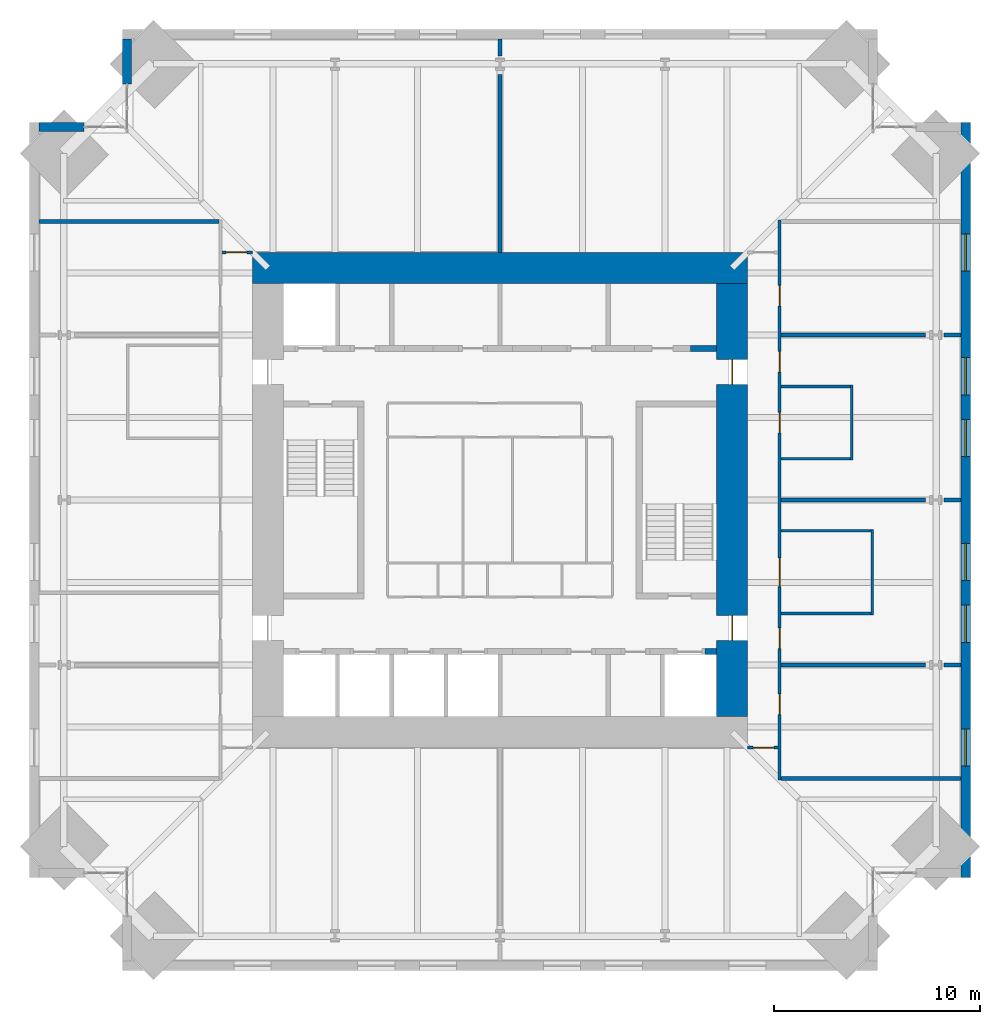
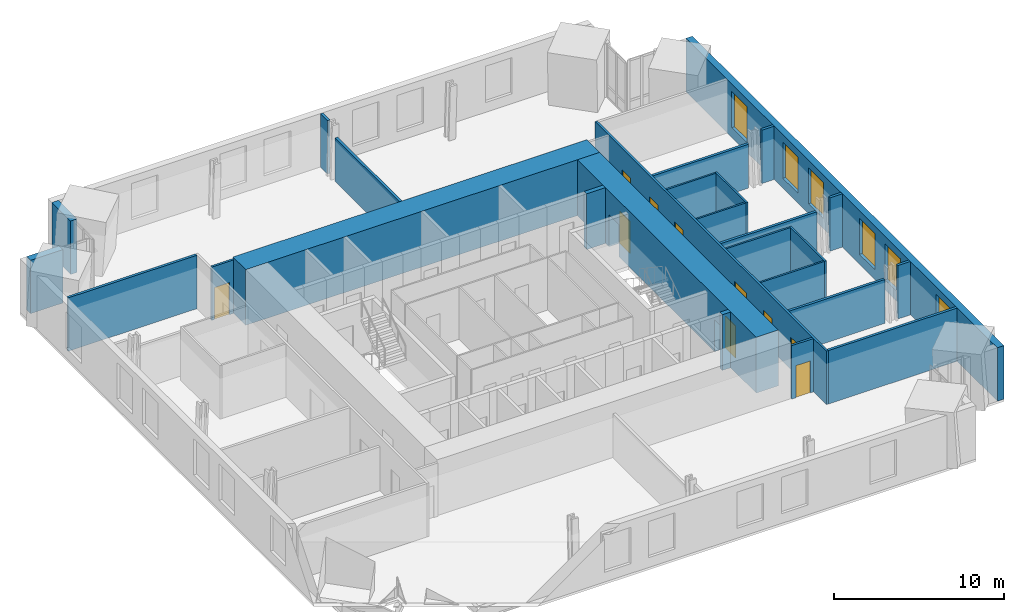
# One storey, part 13 of 15: 26 walls, 10 doors, 6 windows, 16 openings.
"""IFC4 building model written with IfcOpenShell, lengths in metres."""

from ifc_helpers import new_model, si_unit, direction, frame, frame_2d, origin, place, context, subcontext, project, spatial, rectangle, extrude, material, layer, layer_set, type_object, element, fill, save


model = new_model("IFC4")

# Units and contexts
model_context = context("Model", 3, precision=1e-05, world=origin(), true_north=direction((0.0, 1.0)))
body_context = subcontext(model_context, "Body", "Model", "MODEL_VIEW")
ifc_project = project(units=[si_unit("LENGTHUNIT", "METRE"), si_unit("AREAUNIT", "SQUARE_METRE"), si_unit("VOLUMEUNIT", "CUBIC_METRE"), si_unit("PLANEANGLEUNIT", "RADIAN"), si_unit("MASSUNIT", "GRAM", prefix="KILO")], contexts=[model_context])

# Site, building, storey
site_placement = place(None, origin())
site = spatial("IfcSite", under=ifc_project, at=site_placement, CompositionType="ELEMENT")
building_placement = place(site_placement, origin())
building = spatial("IfcBuilding", under=site, at=building_placement, Name="Peilmerk Tower", CompositionType="ELEMENT")
storey_placement = place(building_placement, frame((0.0, 0.0, 241.800048828125)))
storey = spatial("IfcBuildingStorey", under=building, at=storey_placement, Name="L53", CompositionType="ELEMENT", Elevation=241.800048828125)

# Wall, openings, windows
ifc_material_1 = material(Name="Precast concrete C45/55, board-marked finish", Category="concrete")
ifc_layer_1 = layer(ifc_material_1, 0.449951171875)
ifc_layer_set_1 = layer_set([ifc_layer_1], Name="Precast concrete C45/55, board-marked finish")
wall_type_1 = type_object("IfcWallType", Name="EW1 450 precast concrete facade wall, board-marked", PredefinedType="SOLIDWALL", material=ifc_layer_set_1)
wall_1_placement = place(storey_placement, frame((22.574951171875, -18.300048828125, 0.0), z_axis=(0.0, 0.0, 1.0), x_axis=(0.0, 1.0, 0.0)))
wall_1 = element("IfcWall", 1, at=wall_1_placement, inside=storey, type_object=wall_type_1, Name="Facade wall E L53", PredefinedType="SOLIDWALL", context=body_context, shape_type="SweptSolid", body=[
    extrude(rectangle(XDim=36.60009765625, YDim=0.449951171875, at=frame_2d((18.300048828125, 0.0))), origin(), (0.0, 0.0, 1.0), 3.829833984375),
])
opening_1_placement = place(wall_1_placement, frame((5.39990234375, 0.0, 0.699951171875)))
opening_1 = element("IfcOpeningElement", 2, at=opening_1_placement, cuts=wall_1, Name="Opening W1", PredefinedType="OPENING", context=body_context, shape_type="SweptSolid", body=[
    extrude(rectangle(XDim=1.800048828125, YDim=2.60009765625, at=frame_2d((0.89990234375, 1.300048828125))), frame((0.0, 0.23486328125, 0.0), z_axis=(0.0, -1.0, 0.0), x_axis=(1.0, 0.0, 0.0)), (0.0, 0.0, 1.0), 0.469970703125),
])
opening_2_placement = place(wall_1_placement, frame((11.39990234375, 0.0, 0.699951171875)))
opening_2 = element("IfcOpeningElement", 3, at=opening_2_placement, cuts=wall_1, Name="Opening W1", PredefinedType="OPENING", context=body_context, shape_type="SweptSolid", body=[
    extrude(rectangle(XDim=1.800048828125, YDim=2.60009765625, at=frame_2d((0.89990234375, 1.300048828125))), frame((0.0, 0.23486328125, 0.0), z_axis=(0.0, -1.0, 0.0), x_axis=(1.0, 0.0, 0.0)), (0.0, 0.0, 1.0), 0.469970703125),
])
opening_3_placement = place(wall_1_placement, frame((14.39990234375, 0.0, 0.699951171875)))
opening_3 = element("IfcOpeningElement", 4, at=opening_3_placement, cuts=wall_1, Name="Opening W1", PredefinedType="OPENING", context=body_context, shape_type="SweptSolid", body=[
    extrude(rectangle(XDim=1.800048828125, YDim=2.60009765625, at=frame_2d((0.89990234375, 1.300048828125))), frame((0.0, 0.23486328125, 0.0), z_axis=(0.0, -1.0, 0.0), x_axis=(1.0, 0.0, 0.0)), (0.0, 0.0, 1.0), 0.469970703125),
])
opening_4_placement = place(wall_1_placement, frame((20.39990234375, 0.0, 0.699951171875)))
opening_4 = element("IfcOpeningElement", 5, at=opening_4_placement, cuts=wall_1, Name="Opening W1", PredefinedType="OPENING", context=body_context, shape_type="SweptSolid", body=[
    extrude(rectangle(XDim=1.800048828125, YDim=2.60009765625, at=frame_2d((0.89990234375, 1.300048828125))), frame((0.0, 0.23486328125, 0.0), z_axis=(0.0, -1.0, 0.0), x_axis=(1.0, 0.0, 0.0)), (0.0, 0.0, 1.0), 0.469970703125),
])
opening_5_placement = place(wall_1_placement, frame((23.39990234375, 0.0, 0.699951171875)))
opening_5 = element("IfcOpeningElement", 6, at=opening_5_placement, cuts=wall_1, Name="Opening W1", PredefinedType="OPENING", context=body_context, shape_type="SweptSolid", body=[
    extrude(rectangle(XDim=1.800048828125, YDim=2.60009765625, at=frame_2d((0.89990234375, 1.300048828125))), frame((0.0, 0.23486328125, 0.0), z_axis=(0.0, -1.0, 0.0), x_axis=(1.0, 0.0, 0.0)), (0.0, 0.0, 1.0), 0.469970703125),
])
opening_6_placement = place(wall_1_placement, frame((29.39990234375, 0.0, 0.699951171875)))
opening_6 = element("IfcOpeningElement", 7, at=opening_6_placement, cuts=wall_1, Name="Opening W1", PredefinedType="OPENING", context=body_context, shape_type="SweptSolid", body=[
    extrude(rectangle(XDim=1.800048828125, YDim=2.60009765625, at=frame_2d((0.89990234375, 1.300048828125))), frame((0.0, 0.23486328125, 0.0), z_axis=(0.0, -1.0, 0.0), x_axis=(1.0, 0.0, 0.0)), (0.0, 0.0, 1.0), 0.469970703125),
])
ifc_material_2 = material(Name="Aluminium frame, clear double glazing", Category="aluminium")
window_type = type_object("IfcWindowType", Name="W1 1800x2600 office window", PartitioningType="SINGLE_PANEL", PredefinedType="WINDOW", material=ifc_material_2)
window_1_placement = place(opening_1_placement, origin())
window_1 = element("IfcWindow", 8, at=window_1_placement, inside=storey, type_object=window_type, Name="Window W1 L53", OverallHeight=2.60009765625, OverallWidth=1.800048828125, PartitioningType="SINGLE_PANEL", PredefinedType="WINDOW", context=body_context, shape_type="SweptSolid", body=[
    extrude(rectangle(XDim=1.800048828125, YDim=2.60009765625, at=frame_2d((0.89990234375, 1.300048828125))), frame((0.0, 0.030029296875, 0.0), z_axis=(0.0, -1.0, 0.0), x_axis=(1.0, 0.0, 0.0)), (0.0, 0.0, 1.0), 0.06005859375),
])
fill(opening_1, window_1)
window_2_placement = place(opening_2_placement, origin())
window_2 = element("IfcWindow", 9, at=window_2_placement, inside=storey, type_object=window_type, Name="Window W1 L53", OverallHeight=2.60009765625, OverallWidth=1.800048828125, PartitioningType="SINGLE_PANEL", PredefinedType="WINDOW", context=body_context, shape_type="SweptSolid", body=[
    extrude(rectangle(XDim=1.800048828125, YDim=2.60009765625, at=frame_2d((0.89990234375, 1.300048828125))), frame((0.0, 0.030029296875, 0.0), z_axis=(0.0, -1.0, 0.0), x_axis=(1.0, 0.0, 0.0)), (0.0, 0.0, 1.0), 0.06005859375),
])
fill(opening_2, window_2)
window_3_placement = place(opening_3_placement, origin())
window_3 = element("IfcWindow", 10, at=window_3_placement, inside=storey, type_object=window_type, Name="Window W1 L53", OverallHeight=2.60009765625, OverallWidth=1.800048828125, PartitioningType="SINGLE_PANEL", PredefinedType="WINDOW", context=body_context, shape_type="SweptSolid", body=[
    extrude(rectangle(XDim=1.800048828125, YDim=2.60009765625, at=frame_2d((0.89990234375, 1.300048828125))), frame((0.0, 0.030029296875, 0.0), z_axis=(0.0, -1.0, 0.0), x_axis=(1.0, 0.0, 0.0)), (0.0, 0.0, 1.0), 0.06005859375),
])
fill(opening_3, window_3)
window_4_placement = place(opening_4_placement, origin())
window_4 = element("IfcWindow", 11, at=window_4_placement, inside=storey, type_object=window_type, Name="Window W1 L53", OverallHeight=2.60009765625, OverallWidth=1.800048828125, PartitioningType="SINGLE_PANEL", PredefinedType="WINDOW", context=body_context, shape_type="SweptSolid", body=[
    extrude(rectangle(XDim=1.800048828125, YDim=2.60009765625, at=frame_2d((0.89990234375, 1.300048828125))), frame((0.0, 0.030029296875, 0.0), z_axis=(0.0, -1.0, 0.0), x_axis=(1.0, 0.0, 0.0)), (0.0, 0.0, 1.0), 0.06005859375),
])
fill(opening_4, window_4)
window_5_placement = place(opening_5_placement, origin())
window_5 = element("IfcWindow", 12, at=window_5_placement, inside=storey, type_object=window_type, Name="Window W1 L53", OverallHeight=2.60009765625, OverallWidth=1.800048828125, PartitioningType="SINGLE_PANEL", PredefinedType="WINDOW", context=body_context, shape_type="SweptSolid", body=[
    extrude(rectangle(XDim=1.800048828125, YDim=2.60009765625, at=frame_2d((0.89990234375, 1.300048828125))), frame((0.0, 0.030029296875, 0.0), z_axis=(0.0, -1.0, 0.0), x_axis=(1.0, 0.0, 0.0)), (0.0, 0.0, 1.0), 0.06005859375),
])
fill(opening_5, window_5)
window_6_placement = place(opening_6_placement, origin())
window_6 = element("IfcWindow", 13, at=window_6_placement, inside=storey, type_object=window_type, Name="Window W1 L53", OverallHeight=2.60009765625, OverallWidth=1.800048828125, PartitioningType="SINGLE_PANEL", PredefinedType="WINDOW", context=body_context, shape_type="SweptSolid", body=[
    extrude(rectangle(XDim=1.800048828125, YDim=2.60009765625, at=frame_2d((0.89990234375, 1.300048828125))), frame((0.0, 0.030029296875, 0.0), z_axis=(0.0, -1.0, 0.0), x_axis=(1.0, 0.0, 0.0)), (0.0, 0.0, 1.0), 0.06005859375),
])
fill(opening_6, window_6)

# Walls
for number, where, z_axis, x_axis, name in (
    (14, (-18.074951171875, 20.153564453125, 0.0), (0.0, 0.0, 1.0), (0.0, 1.0, 0.0), "Facade wall NWA L53"),
    (15, (-20.153564453125, 18.074951171875, 0.0), (0.0, 0.0, 1.0), (-1.0, 0.0, 0.0), "Facade wall NWB L53"),
):
    element("IfcWall", number, at=place(storey_placement, frame(where, z_axis=z_axis, x_axis=x_axis)), inside=storey, type_object=wall_type_1, Name=name, PredefinedType="SOLIDWALL", context=body_context, shape_type="SweptSolid", body=[
        extrude(rectangle(XDim=2.196533203125, YDim=0.449951171875, at=frame_2d((1.09814453125, 0.0))), origin(), (0.0, 0.0, 1.0), 3.829833984375),
    ])

# Wall, openings, doors
ifc_material_3 = material(Name="Calcium silicate block", Category="masonry")
ifc_layer_2 = layer(ifc_material_3, 0.14990234375)
ifc_layer_set_2 = layer_set([ifc_layer_2], Name="Calcium silicate block")
wall_type_2 = type_object("IfcWallType", Name="IW1 150 corridor partition, EI 60", PredefinedType="PARTITIONING", material=ifc_layer_set_2)
wall_2_placement = place(storey_placement, frame((13.550048828125, -13.574951171875, 0.0), z_axis=(0.0, 0.0, 1.0), x_axis=(0.0, 1.0, 0.0)))
wall_2 = element("IfcWall", 16, at=wall_2_placement, inside=storey, type_object=wall_type_2, Name="Corridor wall E L53", PredefinedType="PARTITIONING", context=body_context, shape_type="SweptSolid", body=[
    extrude(rectangle(XDim=27.14990234375, YDim=0.14990234375, at=frame_2d((13.574951171875, 0.0))), origin(), (0.0, 0.0, 1.0), 3.829833984375),
])
opening_7_placement = place(wall_2_placement, frame((3.175048828125, 0.0, 0.0)))
opening_7 = element("IfcOpeningElement", 17, at=opening_7_placement, cuts=wall_2, Name="Opening D1", PredefinedType="OPENING", context=body_context, shape_type="SweptSolid", body=[
    extrude(rectangle(XDim=1.0, YDim=2.300048828125, at=frame_2d((0.5, 1.14990234375))), frame((0.0, 0.0849609375, 0.0), z_axis=(0.0, -1.0, 0.0), x_axis=(1.0, 0.0, 0.0)), (0.0, 0.0, 1.0), 0.169921875),
])
opening_8_placement = place(wall_2_placement, frame((6.375, 0.0, 0.0)))
opening_8 = element("IfcOpeningElement", 18, at=opening_8_placement, cuts=wall_2, Name="Opening D1", PredefinedType="OPENING", context=body_context, shape_type="SweptSolid", body=[
    extrude(rectangle(XDim=1.0, YDim=2.300048828125, at=frame_2d((0.5, 1.14990234375))), frame((0.0, 0.0849609375, 0.0), z_axis=(0.0, -1.0, 0.0), x_axis=(1.0, 0.0, 0.0)), (0.0, 0.0, 1.0), 0.169921875),
])
opening_9_placement = place(wall_2_placement, frame((19.77490234375, 0.0, 0.0)))
opening_9 = element("IfcOpeningElement", 19, at=opening_9_placement, cuts=wall_2, Name="Opening D1", PredefinedType="OPENING", context=body_context, shape_type="SweptSolid", body=[
    extrude(rectangle(XDim=1.0, YDim=2.300048828125, at=frame_2d((0.5, 1.14990234375))), frame((0.0, 0.0849609375, 0.0), z_axis=(0.0, -1.0, 0.0), x_axis=(1.0, 0.0, 0.0)), (0.0, 0.0, 1.0), 0.169921875),
])
opening_10_placement = place(wall_2_placement, frame((22.97509765625, 0.0, 0.0)))
opening_10 = element("IfcOpeningElement", 20, at=opening_10_placement, cuts=wall_2, Name="Opening D1", PredefinedType="OPENING", context=body_context, shape_type="SweptSolid", body=[
    extrude(rectangle(XDim=1.0, YDim=2.300048828125, at=frame_2d((0.5, 1.14990234375))), frame((0.0, 0.0849609375, 0.0), z_axis=(0.0, -1.0, 0.0), x_axis=(1.0, 0.0, 0.0)), (0.0, 0.0, 1.0), 0.169921875),
])
opening_11_placement = place(wall_2_placement, frame((16.824951171875, 0.0, 0.0)))
opening_11 = element("IfcOpeningElement", 21, at=opening_11_placement, cuts=wall_2, Name="Opening D1", PredefinedType="OPENING", context=body_context, shape_type="SweptSolid", body=[
    extrude(rectangle(XDim=1.0, YDim=2.300048828125, at=frame_2d((0.5, 1.14990234375))), frame((0.0, 0.0849609375, 0.0), z_axis=(0.0, -1.0, 0.0), x_axis=(1.0, 0.0, 0.0)), (0.0, 0.0, 1.0), 0.169921875),
])
opening_12_placement = place(wall_2_placement, frame((9.375, 0.0, 0.0)))
opening_12 = element("IfcOpeningElement", 22, at=opening_12_placement, cuts=wall_2, Name="Opening D8", PredefinedType="OPENING", context=body_context, shape_type="SweptSolid", body=[
    extrude(rectangle(XDim=1.39990234375, YDim=2.300048828125, at=frame_2d((0.699951171875, 1.14990234375))), frame((0.0, 0.0849609375, 0.0), z_axis=(0.0, -1.0, 0.0), x_axis=(1.0, 0.0, 0.0)), (0.0, 0.0, 1.0), 0.169921875),
])
ifc_material_4 = material(Name="Timber door in steel frame", Category="steel")
door_type_1 = type_object("IfcDoorType", Name="D1 1000x2300 room door, EI2 30", OperationType="SINGLE_SWING_LEFT", PredefinedType="DOOR", material=ifc_material_4)
door_1_placement = place(opening_7_placement, frame((1.0, 0.0, 0.0), z_axis=(0.0, 0.0, 1.0), x_axis=(-1.0, 0.0, 0.0)))
door_1 = element("IfcDoor", 23, at=door_1_placement, inside=storey, type_object=door_type_1, Name="Door Office L53", OperationType="SINGLE_SWING_LEFT", OverallHeight=2.300048828125, OverallWidth=1.0, PredefinedType="DOOR", context=body_context, shape_type="SweptSolid", body=[
    extrude(rectangle(XDim=1.0, YDim=2.300048828125, at=frame_2d((0.5, 1.14990234375))), frame((0.0, 0.02490234375, 0.0), z_axis=(0.0, -1.0, 0.0), x_axis=(1.0, 0.0, 0.0)), (0.0, 0.0, 1.0), 0.050048828125),
])
fill(opening_7, door_1)
door_2_placement = place(opening_8_placement, frame((1.0, 0.0, 0.0), z_axis=(0.0, 0.0, 1.0), x_axis=(-1.0, 0.0, 0.0)))
door_2 = element("IfcDoor", 24, at=door_2_placement, inside=storey, type_object=door_type_1, Name="Door Office L53", OperationType="SINGLE_SWING_LEFT", OverallHeight=2.300048828125, OverallWidth=1.0, PredefinedType="DOOR", context=body_context, shape_type="SweptSolid", body=[
    extrude(rectangle(XDim=1.0, YDim=2.300048828125, at=frame_2d((0.5, 1.14990234375))), frame((0.0, 0.02490234375, 0.0), z_axis=(0.0, -1.0, 0.0), x_axis=(1.0, 0.0, 0.0)), (0.0, 0.0, 1.0), 0.050048828125),
])
fill(opening_8, door_2)
door_3_placement = place(opening_9_placement, frame((1.0, 0.0, 0.0), z_axis=(0.0, 0.0, 1.0), x_axis=(-1.0, 0.0, 0.0)))
door_3 = element("IfcDoor", 25, at=door_3_placement, inside=storey, type_object=door_type_1, Name="Door Office L53", OperationType="SINGLE_SWING_LEFT", OverallHeight=2.300048828125, OverallWidth=1.0, PredefinedType="DOOR", context=body_context, shape_type="SweptSolid", body=[
    extrude(rectangle(XDim=1.0, YDim=2.300048828125, at=frame_2d((0.5, 1.14990234375))), frame((0.0, 0.02490234375, 0.0), z_axis=(0.0, -1.0, 0.0), x_axis=(1.0, 0.0, 0.0)), (0.0, 0.0, 1.0), 0.050048828125),
])
fill(opening_9, door_3)
door_4_placement = place(opening_10_placement, frame((1.0, 0.0, 0.0), z_axis=(0.0, 0.0, 1.0), x_axis=(-1.0, 0.0, 0.0)))
door_4 = element("IfcDoor", 26, at=door_4_placement, inside=storey, type_object=door_type_1, Name="Door Meeting room L53", OperationType="SINGLE_SWING_LEFT", OverallHeight=2.300048828125, OverallWidth=1.0, PredefinedType="DOOR", context=body_context, shape_type="SweptSolid", body=[
    extrude(rectangle(XDim=1.0, YDim=2.300048828125, at=frame_2d((0.5, 1.14990234375))), frame((0.0, 0.02490234375, 0.0), z_axis=(0.0, -1.0, 0.0), x_axis=(1.0, 0.0, 0.0)), (0.0, 0.0, 1.0), 0.050048828125),
])
fill(opening_10, door_4)
door_5_placement = place(opening_11_placement, frame((1.0, 0.0, 0.0), z_axis=(0.0, 0.0, 1.0), x_axis=(-1.0, 0.0, 0.0)))
door_5 = element("IfcDoor", 27, at=door_5_placement, inside=storey, type_object=door_type_1, Name="Door Pantry L53", OperationType="SINGLE_SWING_LEFT", OverallHeight=2.300048828125, OverallWidth=1.0, PredefinedType="DOOR", context=body_context, shape_type="SweptSolid", body=[
    extrude(rectangle(XDim=1.0, YDim=2.300048828125, at=frame_2d((0.5, 1.14990234375))), frame((0.0, 0.02490234375, 0.0), z_axis=(0.0, -1.0, 0.0), x_axis=(1.0, 0.0, 0.0)), (0.0, 0.0, 1.0), 0.050048828125),
])
fill(opening_11, door_5)
door_type_2 = type_object("IfcDoorType", Name="D8 1400x2300 leaf-and-a-half door, EI2 30", OperationType="DOUBLE_DOOR_SINGLE_SWING", PredefinedType="DOOR", material=ifc_material_4)
door_6_placement = place(opening_12_placement, frame((1.39990234375, 0.0, 0.0), z_axis=(0.0, 0.0, 1.0), x_axis=(-1.0, 0.0, 0.0)))
door_6 = element("IfcDoor", 28, at=door_6_placement, inside=storey, type_object=door_type_2, Name="Door Briefing room L53", OperationType="DOUBLE_DOOR_SINGLE_SWING", OverallHeight=2.300048828125, OverallWidth=1.39990234375, PredefinedType="DOOR", context=body_context, shape_type="SweptSolid", body=[
    extrude(rectangle(XDim=1.39990234375, YDim=2.300048828125, at=frame_2d((0.699951171875, 1.14990234375))), frame((0.0, 0.02490234375, 0.0), z_axis=(0.0, -1.0, 0.0), x_axis=(1.0, 0.0, 0.0)), (0.0, 0.0, 1.0), 0.050048828125),
])
fill(opening_12, door_6)

# Wall, opening, door
wall_3_placement = place(storey_placement, frame((-13.47509765625, 12.0, 0.0), z_axis=(0.0, 0.0, 1.0), x_axis=(1.0, 0.0, 0.0)))
wall_3 = element("IfcWall", 29, at=wall_3_placement, inside=storey, type_object=wall_type_2, Name="Corridor wall NW L53", PredefinedType="PARTITIONING", context=body_context, shape_type="SweptSolid", body=[
    extrude(rectangle(XDim=1.47509765625, YDim=0.14990234375, at=frame_2d((0.737548828125, 0.0))), origin(), (0.0, 0.0, 1.0), 3.829833984375),
])
opening_13_placement = place(wall_3_placement, frame((0.199951171875, 0.0, 0.0)))
opening_13 = element("IfcOpeningElement", 30, at=opening_13_placement, cuts=wall_3, Name="Opening D1", PredefinedType="OPENING", context=body_context, shape_type="SweptSolid", body=[
    extrude(rectangle(XDim=1.0, YDim=2.300048828125, at=frame_2d((0.5, 1.14990234375))), frame((0.0, 0.0849609375, 0.0), z_axis=(0.0, -1.0, 0.0), x_axis=(1.0, 0.0, 0.0)), (0.0, 0.0, 1.0), 0.169921875),
])
door_7_placement = place(opening_13_placement, origin())
door_7 = element("IfcDoor", 31, at=door_7_placement, inside=storey, type_object=door_type_1, Name="Door Client suite L53", OperationType="SINGLE_SWING_LEFT", OverallHeight=2.300048828125, OverallWidth=1.0, PredefinedType="DOOR", context=body_context, shape_type="SweptSolid", body=[
    extrude(rectangle(XDim=1.0, YDim=2.300048828125, at=frame_2d((0.5, 1.14990234375))), frame((0.0, 0.02490234375, 0.0), z_axis=(0.0, -1.0, 0.0), x_axis=(1.0, 0.0, 0.0)), (0.0, 0.0, 1.0), 0.050048828125),
])
fill(opening_13, door_7)

wall_4_placement = place(storey_placement, frame((13.47509765625, -12.0, 0.0), z_axis=(0.0, 0.0, 1.0), x_axis=(-1.0, 0.0, 0.0)))
wall_4 = element("IfcWall", 32, at=wall_4_placement, inside=storey, type_object=wall_type_2, Name="Corridor wall SE L53", PredefinedType="PARTITIONING", context=body_context, shape_type="SweptSolid", body=[
    extrude(rectangle(XDim=1.47509765625, YDim=0.14990234375, at=frame_2d((0.737548828125, 0.0))), origin(), (0.0, 0.0, 1.0), 3.829833984375),
])
opening_14_placement = place(wall_4_placement, frame((0.199951171875, 0.0, 0.0)))
opening_14 = element("IfcOpeningElement", 33, at=opening_14_placement, cuts=wall_4, Name="Opening D1", PredefinedType="OPENING", context=body_context, shape_type="SweptSolid", body=[
    extrude(rectangle(XDim=1.0, YDim=2.300048828125, at=frame_2d((0.5, 1.14990234375))), frame((0.0, 0.0849609375, 0.0), z_axis=(0.0, -1.0, 0.0), x_axis=(1.0, 0.0, 0.0)), (0.0, 0.0, 1.0), 0.169921875),
])
door_8_placement = place(opening_14_placement, origin())
door_8 = element("IfcDoor", 34, at=door_8_placement, inside=storey, type_object=door_type_1, Name="Door Open workspace L53", OperationType="SINGLE_SWING_LEFT", OverallHeight=2.300048828125, OverallWidth=1.0, PredefinedType="DOOR", context=body_context, shape_type="SweptSolid", body=[
    extrude(rectangle(XDim=1.0, YDim=2.300048828125, at=frame_2d((0.5, 1.14990234375))), frame((0.0, 0.02490234375, 0.0), z_axis=(0.0, -1.0, 0.0), x_axis=(1.0, 0.0, 0.0)), (0.0, 0.0, 1.0), 0.050048828125),
])
fill(opening_14, door_8)

# Walls
ifc_material_5 = material(Name="Plasterboard on steel studs, double boarded with mineral wool", Category="steel")
ifc_layer_3 = layer(ifc_material_5, 0.125)
ifc_layer_set_3 = layer_set([ifc_layer_3], Name="Plasterboard on steel studs, double boarded with mineral wool")
wall_type_3 = type_object("IfcWallType", Name="IW7 125 acoustic partition, EI 30", PredefinedType="PARTITIONING", material=ifc_layer_set_3)
wall_5_placement = place(storey_placement, frame((17.050048828125, 1.9375, 0.0), z_axis=(0.0, 0.0, 1.0), x_axis=(0.0, 1.0, 0.0)))
element("IfcWall", 35, at=wall_5_placement, inside=storey, type_object=wall_type_3, Name="Acoustic partition Pantry L53", PredefinedType="PARTITIONING", context=body_context, shape_type="SweptSolid", body=[
    extrude(rectangle(XDim=3.625, YDim=0.125, at=frame_2d((1.8125, 0.0))), origin(), (0.0, 0.0, 1.0), 3.829833984375),
])
for number, where, z_axis, x_axis, name in (
    (36, (13.625, 2.0, 0.0), (0.0, 0.0, 1.0), (1.0, 0.0, 0.0), "Acoustic partition Pantry L53"),
    (37, (13.625, 5.5, 0.0), (0.0, 0.0, 1.0), (1.0, 0.0, 0.0), "Acoustic partition Pantry L53"),
):
    element("IfcWall", number, at=place(storey_placement, frame(where, z_axis=z_axis, x_axis=x_axis)), inside=storey, type_object=wall_type_3, Name=name, PredefinedType="PARTITIONING", context=body_context, shape_type="SweptSolid", body=[
        extrude(rectangle(XDim=3.362548828125, YDim=0.125, at=frame_2d((1.68115234375, 0.0))), origin(), (0.0, 0.0, 1.0), 3.829833984375),
    ])
wall_6_placement = place(storey_placement, frame((18.050048828125, -5.5625, 0.0), z_axis=(0.0, 0.0, 1.0), x_axis=(0.0, 1.0, 0.0)))
element("IfcWall", 38, at=wall_6_placement, inside=storey, type_object=wall_type_3, Name="Acoustic partition Briefing room L53", PredefinedType="PARTITIONING", context=body_context, shape_type="SweptSolid", body=[
    extrude(rectangle(XDim=4.125, YDim=0.125, at=frame_2d((2.0625, 0.0))), origin(), (0.0, 0.0, 1.0), 3.829833984375),
])
for number, where, z_axis, x_axis, name in (
    (39, (13.625, -5.5, 0.0), (0.0, 0.0, 1.0), (1.0, 0.0, 0.0), "Acoustic partition Briefing room L53"),
    (40, (13.625, -1.5, 0.0), (0.0, 0.0, 1.0), (1.0, 0.0, 0.0), "Acoustic partition Briefing room L53"),
):
    element("IfcWall", number, at=place(storey_placement, frame(where, z_axis=z_axis, x_axis=x_axis)), inside=storey, type_object=wall_type_3, Name=name, PredefinedType="PARTITIONING", context=body_context, shape_type="SweptSolid", body=[
        extrude(rectangle(XDim=4.362548828125, YDim=0.125, at=frame_2d((2.18115234375, 0.0))), origin(), (0.0, 0.0, 1.0), 3.829833984375),
    ])
ifc_layer_4 = layer(ifc_material_3, 0.175048828125)
ifc_layer_set_4 = layer_set([ifc_layer_4], Name="Calcium silicate block")
wall_type_4 = type_object("IfcWallType", Name="IW8 175 tenant separating wall, EI 60", PredefinedType="PARTITIONING", material=ifc_layer_set_4)
for number, where, z_axis, x_axis, name in (
    (41, (-22.35009765625, 13.5, 0.0), (0.0, 0.0, 1.0), (1.0, 0.0, 0.0), "Tenant separating wall NW L53"),
    (42, (22.35009765625, -13.5, 0.0), (0.0, 0.0, 1.0), (-1.0, 0.0, 0.0), "Tenant separating wall SE L53"),
):
    element("IfcWall", number, at=place(storey_placement, frame(where, z_axis=z_axis, x_axis=x_axis)), inside=storey, type_object=wall_type_4, Name=name, PredefinedType="PARTITIONING", context=body_context, shape_type="SweptSolid", body=[
        extrude(rectangle(XDim=8.72509765625, YDim=0.175048828125, at=frame_2d((4.362548828125, 0.0))), origin(), (0.0, 0.0, 1.0), 3.829833984375),
    ])
wall_7_placement = place(storey_placement, frame((0.0, 12.0, 0.0), z_axis=(0.0, 0.0, 1.0), x_axis=(0.0, 1.0, 0.0)))
element("IfcWall", 43, at=wall_7_placement, inside=storey, type_object=wall_type_4, Name="Tenant separating wall N1 L53", PredefinedType="PARTITIONING", context=body_context, shape_type="SweptSolid", body=[
    extrude(rectangle(XDim=8.62158203125, YDim=0.175048828125, at=frame_2d((4.310791015625, 0.0))), origin(), (0.0, 0.0, 1.0), 3.139892578125),
])
wall_8_placement = place(storey_placement, frame((0.0, 21.5107421875, 0.0), z_axis=(0.0, 0.0, 1.0), x_axis=(0.0, 1.0, 0.0)))
element("IfcWall", 44, at=wall_8_placement, inside=storey, type_object=wall_type_4, Name="Tenant separating wall N1b L53", PredefinedType="PARTITIONING", context=body_context, shape_type="SweptSolid", body=[
    extrude(rectangle(XDim=0.83935546875, YDim=0.175048828125, at=frame_2d((0.419677734375, 0.0))), origin(), (0.0, 0.0, 1.0), 3.829833984375),
])
wall_9_placement = place(storey_placement, frame((13.625, -8.0, 0.0), z_axis=(0.0, 0.0, 1.0), x_axis=(1.0, 0.0, 0.0)))
element("IfcWall", 45, at=wall_9_placement, inside=storey, type_object=wall_type_4, Name="Tenant separating wall E1 L53", PredefinedType="PARTITIONING", context=body_context, shape_type="SweptSolid", body=[
    extrude(rectangle(XDim=6.99658203125, YDim=0.175048828125, at=frame_2d((3.498291015625, 0.0))), origin(), (0.0, 0.0, 1.0), 3.139892578125),
])
wall_10_placement = place(storey_placement, frame((21.5107421875, -8.0, 0.0), z_axis=(0.0, 0.0, 1.0), x_axis=(1.0, 0.0, 0.0)))
element("IfcWall", 46, at=wall_10_placement, inside=storey, type_object=wall_type_4, Name="Tenant separating wall E1b L53", PredefinedType="PARTITIONING", context=body_context, shape_type="SweptSolid", body=[
    extrude(rectangle(XDim=0.83935546875, YDim=0.175048828125, at=frame_2d((0.419677734375, 0.0))), origin(), (0.0, 0.0, 1.0), 3.829833984375),
])
wall_11_placement = place(storey_placement, frame((13.625, 0.0, 0.0), z_axis=(0.0, 0.0, 1.0), x_axis=(1.0, 0.0, 0.0)))
element("IfcWall", 47, at=wall_11_placement, inside=storey, type_object=wall_type_4, Name="Tenant separating wall E2 L53", PredefinedType="PARTITIONING", context=body_context, shape_type="SweptSolid", body=[
    extrude(rectangle(XDim=6.99658203125, YDim=0.175048828125, at=frame_2d((3.498291015625, 0.0))), origin(), (0.0, 0.0, 1.0), 3.139892578125),
])
wall_12_placement = place(storey_placement, frame((21.5107421875, 0.0, 0.0), z_axis=(0.0, 0.0, 1.0), x_axis=(1.0, 0.0, 0.0)))
element("IfcWall", 48, at=wall_12_placement, inside=storey, type_object=wall_type_4, Name="Tenant separating wall E2b L53", PredefinedType="PARTITIONING", context=body_context, shape_type="SweptSolid", body=[
    extrude(rectangle(XDim=0.83935546875, YDim=0.175048828125, at=frame_2d((0.419677734375, 0.0))), origin(), (0.0, 0.0, 1.0), 3.829833984375),
])
wall_13_placement = place(storey_placement, frame((13.625, 8.0, 0.0), z_axis=(0.0, 0.0, 1.0), x_axis=(1.0, 0.0, 0.0)))
element("IfcWall", 49, at=wall_13_placement, inside=storey, type_object=wall_type_4, Name="Tenant separating wall E3 L53", PredefinedType="PARTITIONING", context=body_context, shape_type="SweptSolid", body=[
    extrude(rectangle(XDim=6.99658203125, YDim=0.175048828125, at=frame_2d((3.498291015625, 0.0))), origin(), (0.0, 0.0, 1.0), 3.139892578125),
])
wall_14_placement = place(storey_placement, frame((21.5107421875, 8.0, 0.0), z_axis=(0.0, 0.0, 1.0), x_axis=(1.0, 0.0, 0.0)))
element("IfcWall", 50, at=wall_14_placement, inside=storey, type_object=wall_type_4, Name="Tenant separating wall E3b L53", PredefinedType="PARTITIONING", context=body_context, shape_type="SweptSolid", body=[
    extrude(rectangle(XDim=0.83935546875, YDim=0.175048828125, at=frame_2d((0.419677734375, 0.0))), origin(), (0.0, 0.0, 1.0), 3.829833984375),
])
ifc_material_6 = material(Name="Concrete C55/67", Category="concrete")
ifc_layer_5 = layer(ifc_material_6, 1.5)
ifc_layer_set_5 = layer_set([ifc_layer_5], Name="Concrete C55/67")
wall_type_5 = type_object("IfcWallType", Name="SW1 1500 core wall", PredefinedType="SHEAR", material=ifc_layer_set_5)
wall_15_placement = place(storey_placement, frame((-12.0, 11.25, 0.0), z_axis=(0.0, 0.0, 1.0), x_axis=(1.0, 0.0, 0.0)))
element("IfcWall", 51, at=wall_15_placement, inside=storey, type_object=wall_type_5, Name="Core wall N L53", PredefinedType="SHEAR", context=body_context, shape_type="SweptSolid", body=[
    extrude(rectangle(XDim=24.0, YDim=1.5, at=frame_2d((12.0, 0.0))), origin(), (0.0, 0.0, 1.0), 4.0),
])

# Wall, openings, doors
wall_16_placement = place(storey_placement, frame((11.25, 10.5, 0.0), z_axis=(0.0, 0.0, 1.0), x_axis=(0.0, -1.0, 0.0)))
wall_16 = element("IfcWall", 52, at=wall_16_placement, inside=storey, type_object=wall_type_5, Name="Core wall E L53", PredefinedType="SHEAR", context=body_context, shape_type="SweptSolid", body=[
    extrude(rectangle(XDim=21.0, YDim=1.5, at=frame_2d((10.5, 0.0))), origin(), (0.0, 0.0, 1.0), 4.0),
])
opening_15_placement = place(wall_16_placement, frame((3.699951171875, 0.0, 0.0)))
opening_15 = element("IfcOpeningElement", 53, at=opening_15_placement, cuts=wall_16, Name="Opening D3", PredefinedType="OPENING", context=body_context, shape_type="SweptSolid", body=[
    extrude(rectangle(XDim=1.199951171875, YDim=2.300048828125, at=frame_2d((0.60009765625, 1.14990234375))), frame((0.0, 0.760009765625, 0.0), z_axis=(0.0, -1.0, 0.0), x_axis=(1.0, 0.0, 0.0)), (0.0, 0.0, 1.0), 1.52001953125),
])
opening_16_placement = place(wall_16_placement, frame((16.10009765625, 0.0, 0.0)))
opening_16 = element("IfcOpeningElement", 54, at=opening_16_placement, cuts=wall_16, Name="Opening D3", PredefinedType="OPENING", context=body_context, shape_type="SweptSolid", body=[
    extrude(rectangle(XDim=1.199951171875, YDim=2.300048828125, at=frame_2d((0.60009765625, 1.14990234375))), frame((0.0, 0.760009765625, 0.0), z_axis=(0.0, -1.0, 0.0), x_axis=(1.0, 0.0, 0.0)), (0.0, 0.0, 1.0), 1.52001953125),
])
ifc_material_7 = material(Name="Steel door in steel frame", Category="steel")
door_type_3 = type_object("IfcDoorType", Name="D3 1200x2300 core door, EI2 60", OperationType="SINGLE_SWING_LEFT", PredefinedType="DOOR", material=ifc_material_7)
door_9_placement = place(opening_15_placement, frame((1.199951171875, 0.0, 0.0), z_axis=(0.0, 0.0, 1.0), x_axis=(-1.0, 0.0, 0.0)))
door_9 = element("IfcDoor", 55, at=door_9_placement, inside=storey, type_object=door_type_3, Name="Core door L53", OperationType="SINGLE_SWING_LEFT", OverallHeight=2.300048828125, OverallWidth=1.199951171875, PredefinedType="DOOR", context=body_context, shape_type="SweptSolid", body=[
    extrude(rectangle(XDim=1.199951171875, YDim=2.300048828125, at=frame_2d((0.60009765625, 1.14990234375))), frame((0.0, 0.02490234375, 0.0), z_axis=(0.0, -1.0, 0.0), x_axis=(1.0, 0.0, 0.0)), (0.0, 0.0, 1.0), 0.050048828125),
])
fill(opening_15, door_9)
door_10_placement = place(opening_16_placement, frame((1.199951171875, 0.0, 0.0), z_axis=(0.0, 0.0, 1.0), x_axis=(-1.0, 0.0, 0.0)))
door_10 = element("IfcDoor", 56, at=door_10_placement, inside=storey, type_object=door_type_3, Name="Core door L53", OperationType="SINGLE_SWING_LEFT", OverallHeight=2.300048828125, OverallWidth=1.199951171875, PredefinedType="DOOR", context=body_context, shape_type="SweptSolid", body=[
    extrude(rectangle(XDim=1.199951171875, YDim=2.300048828125, at=frame_2d((0.60009765625, 1.14990234375))), frame((0.0, 0.02490234375, 0.0), z_axis=(0.0, -1.0, 0.0), x_axis=(1.0, 0.0, 0.0)), (0.0, 0.0, 1.0), 0.050048828125),
])
fill(opening_16, door_10)

# Walls
ifc_layer_6 = layer(ifc_material_6, 0.300048828125)
ifc_layer_set_6 = layer_set([ifc_layer_6], Name="Concrete C55/67")
wall_type_6 = type_object("IfcWallType", Name="SW2 300 lift bank pier", PredefinedType="SHEAR", material=ifc_layer_set_6)
wall_17_placement = place(storey_placement, frame((9.22509765625, 7.35009765625, 0.0), z_axis=(0.0, 0.0, 1.0), x_axis=(1.0, 0.0, 0.0)))
element("IfcWall", 57, at=wall_17_placement, inside=storey, type_object=wall_type_6, Name="Lift bank pier N L53", PredefinedType="SHEAR", context=body_context, shape_type="SweptSolid", body=[
    extrude(rectangle(XDim=1.27490234375, YDim=0.300048828125, at=frame_2d((0.637451171875, 0.0))), origin(), (0.0, 0.0, 1.0), 4.0),
])
wall_18_placement = place(storey_placement, frame((9.9375, -7.35009765625, 0.0), z_axis=(0.0, 0.0, 1.0), x_axis=(1.0, 0.0, 0.0)))
element("IfcWall", 58, at=wall_18_placement, inside=storey, type_object=wall_type_6, Name="Lift bank pier S L53", PredefinedType="SHEAR", context=body_context, shape_type="SweptSolid", body=[
    extrude(rectangle(XDim=0.5625, YDim=0.300048828125, at=frame_2d((0.28125, 0.0))), origin(), (0.0, 0.0, 1.0), 4.0),
])

save(model, "model.ifc")
